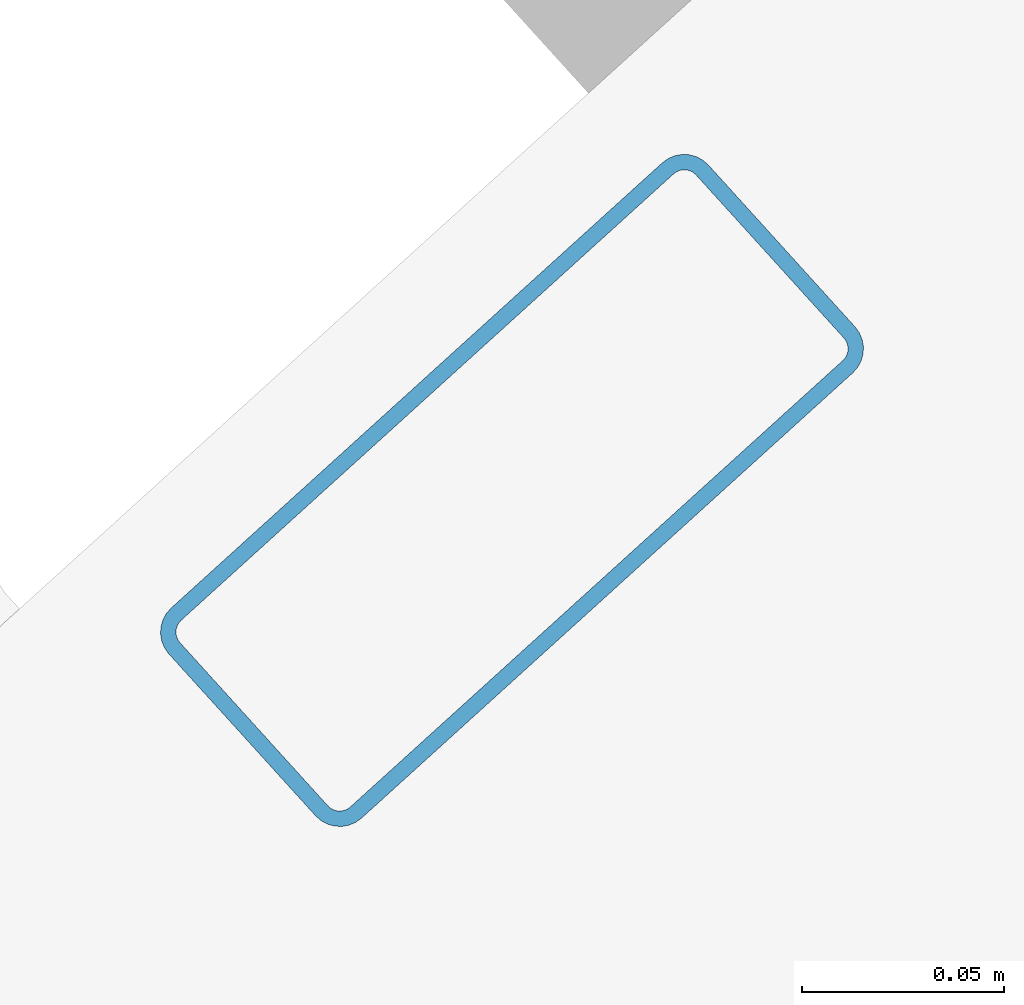
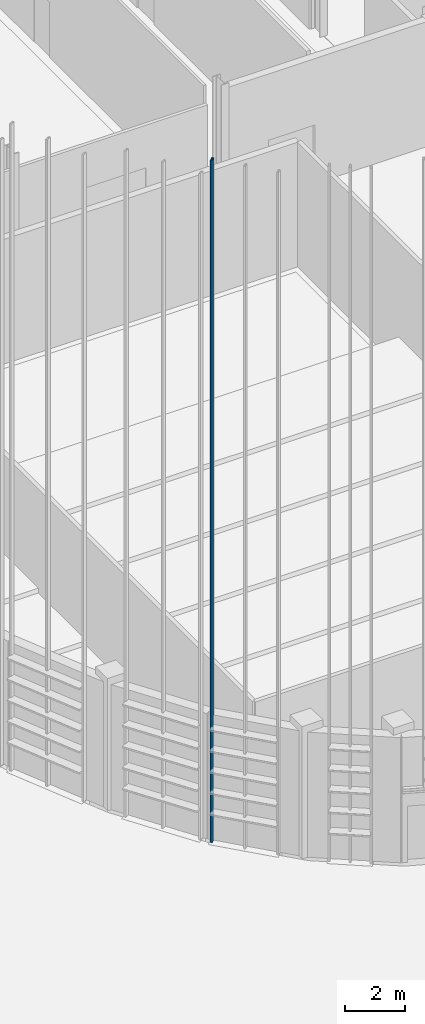
# One storey, part 19 of 372: 1 member.
"""IFC4 building model written with IfcOpenShell, lengths in metres."""

from ifc_helpers import new_model, si_unit, direction, frame, origin, origin_2d, place, context, subcontext, project, spatial, hollow_rectangle, extrude, material, material_profile, profile_set, type_object, element, save


model = new_model("IFC4")

# Units and contexts
model_context = context("Model", 3, precision=1e-05, world=origin(), true_north=direction((0.0, 1.0)))
body_context = subcontext(model_context, "Body", "Model", "MODEL_VIEW")
ifc_project = project(units=[si_unit("LENGTHUNIT", "METRE"), si_unit("AREAUNIT", "SQUARE_METRE"), si_unit("VOLUMEUNIT", "CUBIC_METRE"), si_unit("PLANEANGLEUNIT", "RADIAN"), si_unit("MASSUNIT", "GRAM", prefix="KILO")], contexts=[model_context])

# Site, building, storey
site_placement = place(None, origin())
site = spatial("IfcSite", under=ifc_project, at=site_placement, CompositionType="ELEMENT")
building_placement = place(site_placement, origin())
building = spatial("IfcBuilding", under=site, at=building_placement, Name="Kaelora Sail Theatre", CompositionType="ELEMENT")
storey_placement = place(building_placement, origin())
storey = spatial("IfcBuildingStorey", under=building, at=storey_placement, Name="L00", CompositionType="ELEMENT", Elevation=0.0)

# Member
ifc_material = material(Name="Anodised aluminium 6063-T6", Category="aluminium")
ifc_material_profile = material_profile(ifc_material, hollow_rectangle(XDim=0.070068359375, YDim=0.179931640625, WallThickness=0.00390625, InnerFilletRadius=0.00390625, OuterFilletRadius=0.008056640625, at=origin_2d()), Name="ALU-MULL 70x180x4")
ifc_profile_set = profile_set([ifc_material_profile], Name="Anodised aluminium 6063-T6")
member_type = type_object("IfcMemberType", Name="ARC-MEM-PST-160", PredefinedType="POST", material=ifc_profile_set)
member_placement = place(storey_placement, frame((31.51220703125, 29.41015625, 0.0), z_axis=(0.0, 0.0, 1.0), x_axis=(-0.6715912843, 0.740921822362, 0.0)))
element("IfcMember", 1, at=member_placement, inside=storey, type_object=member_type, Name="Main Theatre Sail Drum solar louvre vertical support post C15-3", PredefinedType="POST", context=body_context, shape_type="SweptSolid", body=[
    extrude(hollow_rectangle(XDim=0.070068359375, YDim=0.179931640625, WallThickness=0.00390625, InnerFilletRadius=0.00390625, OuterFilletRadius=0.008056640625, at=origin_2d()), origin(), (0.0, 0.0, 1.0), 27.846435546875),
])

save(model, "model.ifc")
